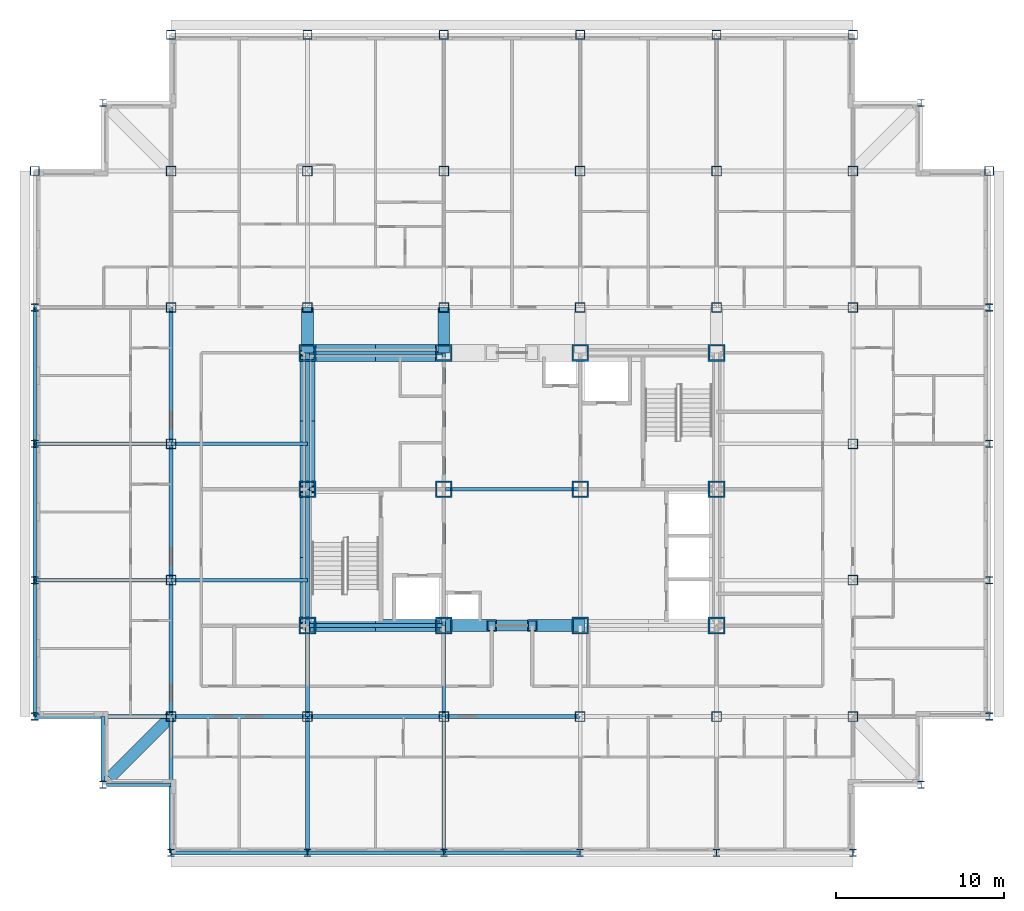
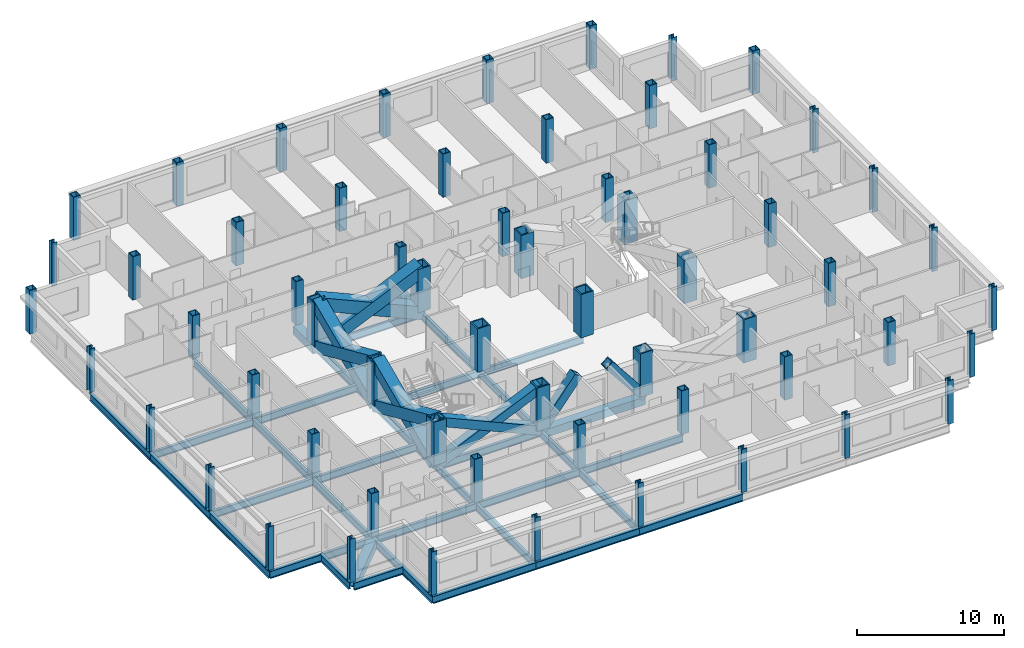
# One storey, part 1 of 12: 60 columns, 36 beams, 10 members.
"""IFC4 building model written with IfcOpenShell, lengths in metres."""

import ifcopenshell
import ifcopenshell.guid

model = None  # the IFC model being written
_history = None  # IfcOwnerHistory: only IFC2X3 demands one
_inside = {}  # id of a spatial element -> (the spatial element, [elements in it])
_under = {}  # id of a project, library or spatial element -> (it, [spatial elements below it])
_declared = {}  # id of a project -> (the project, [libraries it declares])
_typed = {}  # id of a type object -> (the type object, [elements of that type])
_made_of = {}  # id of a material, layer set ... -> (it, [elements and type objects made of it])


def new_model(schema):
    """Start an empty IFC model of exactly this schema.

    Asked for "IFC4X3", IfcOpenShell would pick the latest addendum, in which some entities
    have other attributes; the version numbers below select the first issue.
    IFC2X3 requires an IfcOwnerHistory on every rooted entity: one is made here for all.
    """
    global model, _history
    if schema == "IFC4X3":
        model = ifcopenshell.file(schema_version=(4, 3, 0, 0))
    else:
        model = ifcopenshell.file(schema=schema)
    _inside.clear()
    _under.clear()
    _declared.clear()
    _typed.clear()
    _made_of.clear()
    _history = None
    if model.schema == "IFC2X3":
        org = make("IfcOrganization", Name="unknown")
        user = make(
            "IfcPersonAndOrganization",
            ThePerson=make("IfcPerson", FamilyName="unknown"),
            TheOrganization=org,
        )
        app = make(
            "IfcApplication",
            ApplicationDeveloper=org,
            Version="unknown",
            ApplicationFullName="unknown",
            ApplicationIdentifier="unknown",
        )
        _history = make(
            "IfcOwnerHistory",
            OwningUser=user,
            OwningApplication=app,
            ChangeAction="ADDED",
            CreationDate=0,
        )
    return model


def make(cls, **values):
    """One entity of the class cls with the attributes given. An attribute that is None is left unset."""
    return model.create_entity(
        cls, **{name: value for name, value in values.items() if value is not None}
    )


def rooted(cls, **values):
    """An entity with a GlobalId (a new one), such as an element, a storey or a relation."""
    return make(cls, GlobalId=ifcopenshell.guid.new(), OwnerHistory=_history, **values)


def si_unit(unit_type, name, prefix=None):
    """IfcSIUnit, for example si_unit("LENGTHUNIT", "METRE", prefix="MILLI")."""
    return make("IfcSIUnit", UnitType=unit_type, Prefix=prefix, Name=name)


def assignment(units):
    """IfcUnitAssignment: the units of a project."""
    return None if units is None else make("IfcUnitAssignment", Units=units)


def point(xyz):
    """IfcCartesianPoint."""
    return None if xyz is None else make("IfcCartesianPoint", Coordinates=xyz)


def direction(xyz):
    """IfcDirection."""
    return None if xyz is None else make("IfcDirection", DirectionRatios=xyz)


def frame(location, z_axis=None, x_axis=None):
    """IfcAxis2Placement3D, a coordinate frame: its origin and axes. An axis left out is left unset."""
    return make(
        "IfcAxis2Placement3D",
        Location=point(location),
        Axis=direction(z_axis),
        RefDirection=direction(x_axis),
    )


def frame_2d(location, x_axis=None):
    """IfcAxis2Placement2D, a coordinate frame in the plane: its origin and x axis."""
    return make(
        "IfcAxis2Placement2D", Location=point(location), RefDirection=direction(x_axis)
    )


def origin():
    """The frame at (0, 0, 0) with its axes left unset."""
    return frame((0.0, 0.0, 0.0))


def origin_2d():
    """The frame at (0, 0) in the plane with its x axis left unset."""
    return frame_2d((0.0, 0.0))


def place(relative_to, where):
    """IfcLocalPlacement: puts the frame where relative to a parent placement (None: the world)."""
    return make(
        "IfcLocalPlacement", PlacementRelTo=relative_to, RelativePlacement=where
    )


def context(
    kind, dimensions, precision=None, world=None, true_north=None, identifier=None
):
    """IfcGeometricRepresentationContext, for example the 3D "Model" context."""
    return make(
        "IfcGeometricRepresentationContext",
        ContextIdentifier=identifier,
        ContextType=kind,
        CoordinateSpaceDimension=dimensions,
        Precision=precision,
        WorldCoordinateSystem=world,
        TrueNorth=true_north,
    )


def subcontext(parent, identifier, kind, view, scale=None):
    """IfcGeometricRepresentationSubContext, for example "Body" below "Model"."""
    return make(
        "IfcGeometricRepresentationSubContext",
        ContextIdentifier=identifier,
        ContextType=kind,
        ParentContext=parent,
        TargetScale=scale,
        TargetView=view,
    )


def project(units=None, contexts=None):
    """IfcProject with its units and contexts."""
    return rooted(
        "IfcProject",
        Name="project",
        RepresentationContexts=contexts,
        UnitsInContext=assignment(units),
    )


def spatial(cls, under=None, at=None, **own):
    """A site, building, storey or space (cls), placed at a placement, below another one or the project."""
    s = rooted(cls, ObjectPlacement=at, **own)
    if under is not None:
        _under.setdefault(under.id(), (under, []))[1].append(s)
    return s


def profile(cls, at=None, kind="AREA", **sizes):
    """A parametric profile (cls). Its sizes go by their IFC names, for example OverallWidth=200.0."""
    return make(cls, ProfileType=kind, Position=at, **sizes)


def hollow_rectangle(**sizes):
    """IfcRectangleHollowProfileDef."""
    return profile("IfcRectangleHollowProfileDef", **sizes)


def i_section(**sizes):
    """IfcIShapeProfileDef."""
    return profile("IfcIShapeProfileDef", **sizes)


def extrude(swept, where, along, depth):
    """IfcExtrudedAreaSolid: the profile swept, set in the frame where, extruded along a direction by depth."""
    return make(
        "IfcExtrudedAreaSolid",
        SweptArea=swept,
        Position=where,
        ExtrudedDirection=direction(along),
        Depth=depth,
    )


def shape(context_of_items, identifier, shape_type, items):
    """IfcShapeRepresentation: the items that make up one representation, for example the "Body"."""
    return make(
        "IfcShapeRepresentation",
        ContextOfItems=context_of_items,
        RepresentationIdentifier=identifier,
        RepresentationType=shape_type,
        Items=items,
    )


def material(Name=None, Category=None):
    """IfcMaterial."""
    return make("IfcMaterial", Name=Name, Category=Category)


def material_profile(
    of_material, cross_section, Name=None, Category=None, Priority=None
):
    """IfcMaterialProfile: a cross section and its material."""
    return make(
        "IfcMaterialProfile",
        Name=Name,
        Material=of_material,
        Profile=cross_section,
        Priority=Priority,
        Category=Category,
    )


def profile_set(profiles, Name=None, composite=None):
    """IfcMaterialProfileSet."""
    return make(
        "IfcMaterialProfileSet",
        Name=Name,
        MaterialProfiles=profiles,
        CompositeProfile=composite,
    )


def made_of(thing, what):
    """Note that an element or type object is made of a material, layer set ...; save() writes the relation."""
    if what is not None:
        _made_of.setdefault(what.id(), (what, []))[1].append(thing)
    return thing


def type_object(cls, material=None, **own):
    """A type object (cls), such as IfcWallType, which elements share."""
    return made_of(rooted(cls, **own), material)


def element(
    cls,
    number,
    at=None,
    inside=None,
    cuts=None,
    type_object=None,
    material=None,
    context=None,
    identifier="Body",
    shape_type=None,
    held_by="IfcProductDefinitionShape",
    body=None,
    shapes=None,
    **own,
):
    """One element of the class cls, such as IfcWall. Its Tag is "e" and its number.

    at: its placement. inside: the storey or other place that contains it. cuts: it is an
    opening in that element (IfcRelVoidsElement). A single representation is given by context,
    identifier, shape_type and body (its items); several are given by shapes. held_by: the class
    of the entity that holds the representations. save() writes the other relations.
    """
    e = rooted(cls, Tag="e%d" % number, ObjectPlacement=at, **own)
    if body is not None:
        shapes = [shape(context, identifier, shape_type, body)]
    if shapes is not None:
        e.Representation = make(held_by, Representations=shapes)
    if inside is not None:
        _inside.setdefault(inside.id(), (inside, []))[1].append(e)
    if cuts is not None:
        rooted(
            "IfcRelVoidsElement", RelatingBuildingElement=cuts, RelatedOpeningElement=e
        )
    if type_object is not None:
        _typed.setdefault(type_object.id(), (type_object, []))[1].append(e)
    return made_of(e, material)


def aggregate(whole, parts):
    """IfcRelAggregates: a whole, such as a stair, and the parts it consists of."""
    return rooted("IfcRelAggregates", RelatingObject=whole, RelatedObjects=parts)


def save(model, path):
    """Write the relations noted so far, then the file.

    IfcRelAggregates (storeys below a building ...), IfcRelContainedInSpatialStructure (elements
    in a storey), IfcRelDefinesByType, IfcRelAssociatesMaterial and IfcRelDeclares: one each for
    every whole, place, type object, material and project.
    """
    for whole, parts in _under.values():
        aggregate(whole, parts)
    for where, things in _inside.values():
        rooted(
            "IfcRelContainedInSpatialStructure",
            RelatedElements=things,
            RelatingStructure=where,
        )
    for kind, things in _typed.values():
        rooted("IfcRelDefinesByType", RelatedObjects=things, RelatingType=kind)
    for what, things in _made_of.values():
        rooted("IfcRelAssociatesMaterial", RelatedObjects=things, RelatingMaterial=what)
    for by, libraries in _declared.values():
        rooted("IfcRelDeclares", RelatingContext=by, RelatedDefinitions=libraries)
    model.write(path)


model = new_model("IFC4")

# Units and contexts
model_context = context("Model", 3, precision=1e-05, world=origin(), true_north=direction((0.0, 1.0)))
body_context = subcontext(model_context, "Body", "Model", "MODEL_VIEW")
ifc_project = project(units=[si_unit("LENGTHUNIT", "METRE"), si_unit("AREAUNIT", "SQUARE_METRE"), si_unit("VOLUMEUNIT", "CUBIC_METRE"), si_unit("PLANEANGLEUNIT", "RADIAN"), si_unit("MASSUNIT", "GRAM", prefix="KILO")], contexts=[model_context])

# Site, building, storey
site_placement = place(None, origin())
site = spatial("IfcSite", under=ifc_project, at=site_placement, CompositionType="ELEMENT")
building_placement = place(site_placement, origin())
building = spatial("IfcBuilding", under=site, at=building_placement, Name="Kopane Lantern Tower", CompositionType="ELEMENT")
storey_placement = place(building_placement, frame((0.0, 0.0, 199.199951171875)))
storey = spatial("IfcBuildingStorey", under=building, at=storey_placement, Name="L51", CompositionType="ELEMENT", Elevation=199.199951171875)

# Columns
ifc_material_1 = material(Name="Steel S355JR", Category="steel")
ifc_material_profile_1 = material_profile(ifc_material_1, hollow_rectangle(XDim=1.0, YDim=1.0, WallThickness=0.10009765625, at=origin_2d()), Name="BOX 1000x1000x100")
ifc_profile_set_1 = profile_set([ifc_material_profile_1], Name="Steel S355JR")
column_type_1 = type_object("IfcColumnType", Name="COLUMN BOX 1000x1000x100", PredefinedType="COLUMN", material=ifc_profile_set_1)
for number, where, z_axis, x_axis, name in (
    (1, (16.199951171875, 24.300048828125, 0.0), (0.0, 0.0, 1.0), (1.0, 0.0, 0.0), "Column 4/E L51"),
    (2, (16.199951171875, 32.39990234375, 0.0), (0.0, 0.0, 1.0), (1.0, 0.0, 0.0), "Column 4/F L51"),
    (3, (16.199951171875, 40.5, 0.0), (0.0, 0.0, 1.0), (1.0, 0.0, 0.0), "Column 4/G L51"),
    (4, (24.300048828125, 24.300048828125, 0.0), (0.0, 0.0, 1.0), (1.0, 0.0, 0.0), "Column 5/E L51"),
    (5, (24.300048828125, 32.39990234375, 0.0), (0.0, 0.0, 1.0), (1.0, 0.0, 0.0), "Column 5/F L51"),
    (6, (24.300048828125, 40.5, 0.0), (0.0, 0.0, 1.0), (1.0, 0.0, 0.0), "Column 5/G L51"),
    (7, (32.39990234375, 24.300048828125, 0.0), (0.0, 0.0, 1.0), (1.0, 0.0, 0.0), "Column 6/E L51"),
    (8, (32.39990234375, 32.39990234375, 0.0), (0.0, 0.0, 1.0), (1.0, 0.0, 0.0), "Column 6/F L51"),
    (9, (32.39990234375, 40.5, 0.0), (0.0, 0.0, 1.0), (1.0, 0.0, 0.0), "Column 6/G L51"),
    (10, (40.5, 24.300048828125, 0.0), (0.0, 0.0, 1.0), (1.0, 0.0, 0.0), "Column 7/E L51"),
    (11, (40.5, 32.39990234375, 0.0), (0.0, 0.0, 1.0), (1.0, 0.0, 0.0), "Column 7/F L51"),
    (12, (40.5, 40.5, 0.0), (0.0, 0.0, 1.0), (1.0, 0.0, 0.0), "Column 7/G L51"),
):
    element("IfcColumn", number, at=place(storey_placement, frame(where, z_axis=z_axis, x_axis=x_axis)), inside=storey, type_object=column_type_1, Name=name, PredefinedType="COLUMN", context=body_context, shape_type="SweptSolid", body=[
        extrude(hollow_rectangle(XDim=1.0, YDim=1.0, WallThickness=0.10009765625, at=origin_2d()), origin(), (0.0, 0.0, 1.0), 3.60009765625),
    ])
ifc_material_2 = material(Name="Steel S355JR", Category="steel")
ifc_material_profile_2 = material_profile(ifc_material_2, hollow_rectangle(XDim=0.550048828125, YDim=0.550048828125, WallThickness=0.044921875, at=origin_2d()), Name="BOX 550x550x45")
ifc_profile_set_2 = profile_set([ifc_material_profile_2], Name="Steel S355JR")
column_type_2 = type_object("IfcColumnType", Name="COLUMN BOX 550x550x45", PredefinedType="COLUMN", material=ifc_profile_set_2)
for number, where, z_axis, x_axis, name in (
    (13, (0.0, 51.300048828125, 0.0), (0.0, 0.0, 1.0), (1.0, 0.0, 0.0), "Column 2/Q6 L51"),
    (14, (8.10009765625, 59.39990234375, 0.0), (0.0, 0.0, 1.0), (1.0, 0.0, 0.0), "Column 3/Q7 L51"),
    (15, (16.199951171875, 59.39990234375, 0.0), (0.0, 0.0, 1.0), (1.0, 0.0, 0.0), "Column 4/Q7 L51"),
    (16, (24.300048828125, 59.39990234375, 0.0), (0.0, 0.0, 1.0), (1.0, 0.0, 0.0), "Column 5/Q7 L51"),
    (17, (32.39990234375, 59.39990234375, 0.0), (0.0, 0.0, 1.0), (1.0, 0.0, 0.0), "Column 6/Q7 L51"),
    (18, (40.5, 59.39990234375, 0.0), (0.0, 0.0, 1.0), (1.0, 0.0, 0.0), "Column 7/Q7 L51"),
    (19, (48.60009765625, 59.39990234375, 0.0), (0.0, 0.0, 1.0), (1.0, 0.0, 0.0), "Column 8/Q7 L51"),
    (20, (56.699951171875, 51.300048828125, 0.0), (0.0, 0.0, 1.0), (1.0, 0.0, 0.0), "Column 9/Q6 L51"),
):
    element("IfcColumn", number, at=place(storey_placement, frame(where, z_axis=z_axis, x_axis=x_axis)), inside=storey, type_object=column_type_2, Name=name, PredefinedType="COLUMN", context=body_context, shape_type="SweptSolid", body=[
        extrude(hollow_rectangle(XDim=0.550048828125, YDim=0.550048828125, WallThickness=0.044921875, at=origin_2d()), origin(), (0.0, 0.0, 1.0), 3.60009765625),
    ])
ifc_material_3 = material(Name="Steel S355JR", Category="steel")
ifc_material_profile_3 = material_profile(ifc_material_3, hollow_rectangle(XDim=0.60009765625, YDim=0.60009765625, WallThickness=0.050048828125, at=origin_2d()), Name="BOX 600x600x50")
ifc_profile_set_3 = profile_set([ifc_material_profile_3], Name="Steel S355JR")
column_type_3 = type_object("IfcColumnType", Name="COLUMN BOX 600x600x50", PredefinedType="COLUMN", material=ifc_profile_set_3)
for number, where, z_axis, x_axis, name in (
    (21, (8.10009765625, 18.89990234375, 0.0), (0.0, 0.0, 1.0), (1.0, 0.0, 0.0), "Column 3/Q2 L51"),
    (22, (8.10009765625, 27.0, 0.0), (0.0, 0.0, 1.0), (1.0, 0.0, 0.0), "Column 3/Q3 L51"),
    (23, (8.10009765625, 35.10009765625, 0.0), (0.0, 0.0, 1.0), (1.0, 0.0, 0.0), "Column 3/Q4 L51"),
    (24, (8.10009765625, 43.199951171875, 0.0), (0.0, 0.0, 1.0), (1.0, 0.0, 0.0), "Column 3/Q5 L51"),
    (25, (8.10009765625, 51.300048828125, 0.0), (0.0, 0.0, 1.0), (1.0, 0.0, 0.0), "Column 3/Q6 L51"),
    (26, (16.199951171875, 18.89990234375, 0.0), (0.0, 0.0, 1.0), (1.0, 0.0, 0.0), "Column 4/Q2 L51"),
    (27, (16.199951171875, 43.199951171875, 0.0), (0.0, 0.0, 1.0), (1.0, 0.0, 0.0), "Column 4/Q5 L51"),
    (28, (16.199951171875, 51.300048828125, 0.0), (0.0, 0.0, 1.0), (1.0, 0.0, 0.0), "Column 4/Q6 L51"),
    (29, (24.300048828125, 18.89990234375, 0.0), (0.0, 0.0, 1.0), (1.0, 0.0, 0.0), "Column 5/Q2 L51"),
    (30, (24.300048828125, 43.199951171875, 0.0), (0.0, 0.0, 1.0), (1.0, 0.0, 0.0), "Column 5/Q5 L51"),
    (31, (24.300048828125, 51.300048828125, 0.0), (0.0, 0.0, 1.0), (1.0, 0.0, 0.0), "Column 5/Q6 L51"),
    (32, (32.39990234375, 18.89990234375, 0.0), (0.0, 0.0, 1.0), (1.0, 0.0, 0.0), "Column 6/Q2 L51"),
    (33, (32.39990234375, 43.199951171875, 0.0), (0.0, 0.0, 1.0), (1.0, 0.0, 0.0), "Column 6/Q5 L51"),
    (34, (32.39990234375, 51.300048828125, 0.0), (0.0, 0.0, 1.0), (1.0, 0.0, 0.0), "Column 6/Q6 L51"),
    (35, (40.5, 18.89990234375, 0.0), (0.0, 0.0, 1.0), (1.0, 0.0, 0.0), "Column 7/Q2 L51"),
    (36, (40.5, 43.199951171875, 0.0), (0.0, 0.0, 1.0), (1.0, 0.0, 0.0), "Column 7/Q5 L51"),
    (37, (40.5, 51.300048828125, 0.0), (0.0, 0.0, 1.0), (1.0, 0.0, 0.0), "Column 7/Q6 L51"),
    (38, (48.60009765625, 18.89990234375, 0.0), (0.0, 0.0, 1.0), (1.0, 0.0, 0.0), "Column 8/Q2 L51"),
    (39, (48.60009765625, 27.0, 0.0), (0.0, 0.0, 1.0), (1.0, 0.0, 0.0), "Column 8/Q3 L51"),
    (40, (48.60009765625, 35.10009765625, 0.0), (0.0, 0.0, 1.0), (1.0, 0.0, 0.0), "Column 8/Q4 L51"),
    (41, (48.60009765625, 43.199951171875, 0.0), (0.0, 0.0, 1.0), (1.0, 0.0, 0.0), "Column 8/Q5 L51"),
    (42, (48.60009765625, 51.300048828125, 0.0), (0.0, 0.0, 1.0), (1.0, 0.0, 0.0), "Column 8/Q6 L51"),
):
    element("IfcColumn", number, at=place(storey_placement, frame(where, z_axis=z_axis, x_axis=x_axis)), inside=storey, type_object=column_type_3, Name=name, PredefinedType="COLUMN", context=body_context, shape_type="SweptSolid", body=[
        extrude(hollow_rectangle(XDim=0.60009765625, YDim=0.60009765625, WallThickness=0.050048828125, at=origin_2d()), origin(), (0.0, 0.0, 1.0), 3.60009765625),
    ])
ifc_material_4 = material(Name="Steel S355JR", Category="steel")
ifc_material_profile_4 = material_profile(ifc_material_4, i_section(OverallWidth=0.406982421875, OverallDepth=0.4189453125, WebThickness=0.030517578125, FlangeThickness=0.04931640625, FilletRadius=0.01513671875, at=origin_2d()), Name="UC 356x406x393")
ifc_profile_set_4 = profile_set([ifc_material_profile_4], Name="Steel S355JR")
column_type_4 = type_object("IfcColumnType", Name="COLUMN UC 356x406x393", PredefinedType="COLUMN", material=ifc_profile_set_4)
for number, where, z_axis, x_axis, name in (
    (43, (4.050048828125, 14.85009765625, 0.0), (0.0, 0.0, 1.0), (1.0, 0.0, 0.0), "Column 4.05/14.85 L51"),
    (44, (4.050048828125, 55.35009765625, 0.0), (0.0, 0.0, 1.0), (1.0, 0.0, 0.0), "Column 4.05/55.35 L51"),
    (45, (52.64990234375, 14.85009765625, 0.0), (0.0, 0.0, 1.0), (1.0, 0.0, 0.0), "Column 52.65/14.85 L51"),
    (46, (52.64990234375, 55.35009765625, 0.0), (0.0, 0.0, 1.0), (1.0, 0.0, 0.0), "Column 52.65/55.35 L51"),
):
    element("IfcColumn", number, at=place(storey_placement, frame(where, z_axis=z_axis, x_axis=x_axis)), inside=storey, type_object=column_type_4, Name=name, PredefinedType="COLUMN", context=body_context, shape_type="SweptSolid", body=[
        extrude(i_section(OverallWidth=0.406982421875, OverallDepth=0.4189453125, WebThickness=0.030517578125, FlangeThickness=0.04931640625, FilletRadius=0.01513671875, at=origin_2d()), origin(), (0.0, 0.0, 1.0), 3.60009765625),
    ])
ifc_material_5 = material(Name="Steel S355JR", Category="steel")
ifc_material_profile_5 = material_profile(ifc_material_5, i_section(OverallWidth=0.41845703125, OverallDepth=0.45556640625, WebThickness=0.0419921875, FlangeThickness=0.0673828125, FilletRadius=0.01513671875, at=origin_2d()), Name="UC 356x406x551")
ifc_profile_set_5 = profile_set([ifc_material_profile_5], Name="Steel S355JR")
column_type_5 = type_object("IfcColumnType", Name="COLUMN UC 356x406x551", PredefinedType="COLUMN", material=ifc_profile_set_5)
for number, where, z_axis, x_axis, name in (
    (47, (0.0, 18.89990234375, 0.0), (0.0, 0.0, 1.0), (1.0, 0.0, 0.0), "Column 2/Q2 L51"),
    (48, (0.0, 27.0, 0.0), (0.0, 0.0, 1.0), (1.0, 0.0, 0.0), "Column 2/Q3 L51"),
    (49, (0.0, 35.10009765625, 0.0), (0.0, 0.0, 1.0), (1.0, 0.0, 0.0), "Column 2/Q4 L51"),
    (50, (0.0, 43.199951171875, 0.0), (0.0, 0.0, 1.0), (1.0, 0.0, 0.0), "Column 2/Q5 L51"),
    (51, (8.10009765625, 10.800048828125, 0.0), (0.0, 0.0, 1.0), (1.0, 0.0, 0.0), "Column 3/Q1 L51"),
    (52, (16.199951171875, 10.800048828125, 0.0), (0.0, 0.0, 1.0), (1.0, 0.0, 0.0), "Column 4/Q1 L51"),
    (53, (24.300048828125, 10.800048828125, 0.0), (0.0, 0.0, 1.0), (1.0, 0.0, 0.0), "Column 5/Q1 L51"),
    (54, (32.39990234375, 10.800048828125, 0.0), (0.0, 0.0, 1.0), (1.0, 0.0, 0.0), "Column 6/Q1 L51"),
    (55, (40.5, 10.800048828125, 0.0), (0.0, 0.0, 1.0), (1.0, 0.0, 0.0), "Column 7/Q1 L51"),
    (56, (48.60009765625, 10.800048828125, 0.0), (0.0, 0.0, 1.0), (1.0, 0.0, 0.0), "Column 8/Q1 L51"),
    (57, (56.699951171875, 18.89990234375, 0.0), (0.0, 0.0, 1.0), (1.0, 0.0, 0.0), "Column 9/Q2 L51"),
    (58, (56.699951171875, 27.0, 0.0), (0.0, 0.0, 1.0), (1.0, 0.0, 0.0), "Column 9/Q3 L51"),
    (59, (56.699951171875, 35.10009765625, 0.0), (0.0, 0.0, 1.0), (1.0, 0.0, 0.0), "Column 9/Q4 L51"),
    (60, (56.699951171875, 43.199951171875, 0.0), (0.0, 0.0, 1.0), (1.0, 0.0, 0.0), "Column 9/Q5 L51"),
):
    element("IfcColumn", number, at=place(storey_placement, frame(where, z_axis=z_axis, x_axis=x_axis)), inside=storey, type_object=column_type_5, Name=name, PredefinedType="COLUMN", context=body_context, shape_type="SweptSolid", body=[
        extrude(i_section(OverallWidth=0.41845703125, OverallDepth=0.45556640625, WebThickness=0.0419921875, FlangeThickness=0.0673828125, FilletRadius=0.01513671875, at=origin_2d()), origin(), (0.0, 0.0, 1.0), 3.60009765625),
    ])

# Members
ifc_material_6 = material(Name="Steel S355JR", Category="steel")
ifc_material_profile_6 = material_profile(ifc_material_6, hollow_rectangle(XDim=1.0, YDim=1.0, WallThickness=0.10009765625, at=origin_2d()), Name="BOX 1000x1000x100")
ifc_profile_set_6 = profile_set([ifc_material_profile_6], Name="Steel S355JR")
member_type_1 = type_object("IfcMemberType", Name="BRACE BOX 1000x1000x100", PredefinedType="BRACE", material=ifc_profile_set_6)
for number, where, z_axis, x_axis, name in (
    (61, (16.199951171875, 40.5, -0.2099609375), (0.913809277049, 0.0, 0.40614357705), (0.0, 1.0, 0.0), "Core brace L51"),
    (62, (24.300048828125, 40.5, -0.2099609375), (-0.913809277049, 0.0, 0.40614357705), (0.0, -1.0, 0.0), "Core brace L51"),
):
    element("IfcMember", number, at=place(storey_placement, frame(where, z_axis=z_axis, x_axis=x_axis)), inside=storey, type_object=member_type_1, Name=name, PredefinedType="BRACE", context=body_context, shape_type="SweptSolid", body=[
        extrude(hollow_rectangle(XDim=1.0, YDim=1.0, WallThickness=0.10009765625, at=origin_2d()), origin(), (0.0, 0.0, 1.0), 8.864013671875),
    ])
ifc_material_7 = material(Name="Steel S355JR", Category="steel")
ifc_material_profile_7 = material_profile(ifc_material_7, hollow_rectangle(XDim=0.699951171875, YDim=0.699951171875, WallThickness=0.06005859375, at=origin_2d()), Name="BOX 700x700x60")
ifc_profile_set_7 = profile_set([ifc_material_profile_7], Name="Steel S355JR")
member_type_2 = type_object("IfcMemberType", Name="BRACE BOX 700x700x60", PredefinedType="BRACE", material=ifc_profile_set_7)
for number, where, z_axis, x_axis, name in (
    (63, (16.199951171875, 24.300048828125, -0.2099609375), (0.913809277049, 0.0, 0.40614357705), (0.0, 1.0, 0.0), "Core brace L51"),
    (64, (24.300048828125, 24.300048828125, -0.2099609375), (-0.913809277049, 0.0, 0.40614357705), (0.0, -1.0, 0.0), "Core brace L51"),
):
    element("IfcMember", number, at=place(storey_placement, frame(where, z_axis=z_axis, x_axis=x_axis)), inside=storey, type_object=member_type_2, Name=name, PredefinedType="BRACE", context=body_context, shape_type="SweptSolid", body=[
        extrude(hollow_rectangle(XDim=0.699951171875, YDim=0.699951171875, WallThickness=0.06005859375, at=origin_2d()), origin(), (0.0, 0.0, 1.0), 8.864013671875),
    ])
for number, where, z_axis, x_axis, name in (
    (65, (24.300048828125, 24.300048828125, -0.2099609375), (0.620672981644, 0.0, 0.784069544018), (0.0, 1.0, 0.0), "Core brace L51"),
    (66, (32.39990234375, 24.300048828125, -0.2099609375), (-0.620672981644, 0.0, 0.784069544018), (0.0, -1.0, 0.0), "Core brace L51"),
):
    element("IfcMember", number, at=place(storey_placement, frame(where, z_axis=z_axis, x_axis=x_axis)), inside=storey, type_object=member_type_2, Name=name, PredefinedType="BRACE", context=body_context, shape_type="SweptSolid", body=[
        extrude(hollow_rectangle(XDim=0.699951171875, YDim=0.699951171875, WallThickness=0.06005859375, at=origin_2d()), origin(), (0.0, 0.0, 1.0), 4.591552734375),
    ])
ifc_material_8 = material(Name="Steel S355JR", Category="steel")
ifc_material_profile_8 = material_profile(ifc_material_8, hollow_rectangle(XDim=0.89990234375, YDim=0.89990234375, WallThickness=0.090087890625, at=origin_2d()), Name="BOX 900x900x90")
ifc_profile_set_8 = profile_set([ifc_material_profile_8], Name="Steel S355JR")
member_type_3 = type_object("IfcMemberType", Name="BRACE BOX 900x900x90", PredefinedType="BRACE", material=ifc_profile_set_8)
for number, where, z_axis, x_axis, name in (
    (67, (16.199951171875, 24.300048828125, -0.2099609375), (0.0, 0.91380473365, 0.406153799391), (-1.0, 0.0, 0.0), "Core brace L51"),
    (68, (16.199951171875, 32.39990234375, -0.2099609375), (0.0, -0.91380473365, 0.406153799391), (1.0, 0.0, 0.0), "Core brace L51"),
):
    element("IfcMember", number, at=place(storey_placement, frame(where, z_axis=z_axis, x_axis=x_axis)), inside=storey, type_object=member_type_3, Name=name, PredefinedType="BRACE", context=body_context, shape_type="SweptSolid", body=[
        extrude(hollow_rectangle(XDim=0.89990234375, YDim=0.89990234375, WallThickness=0.090087890625, at=origin_2d()), origin(), (0.0, 0.0, 1.0), 8.86376953125),
    ])
for number, where, z_axis, x_axis, name in (
    (69, (16.199951171875, 32.39990234375, -0.2099609375), (0.0, 0.913809277049, 0.40614357705), (-1.0, 0.0, 0.0), "Core brace L51"),
    (70, (16.199951171875, 40.5, -0.2099609375), (0.0, -0.913809277049, 0.40614357705), (1.0, 0.0, 0.0), "Core brace L51"),
):
    element("IfcMember", number, at=place(storey_placement, frame(where, z_axis=z_axis, x_axis=x_axis)), inside=storey, type_object=member_type_3, Name=name, PredefinedType="BRACE", context=body_context, shape_type="SweptSolid", body=[
        extrude(hollow_rectangle(XDim=0.89990234375, YDim=0.89990234375, WallThickness=0.090087890625, at=origin_2d()), origin(), (0.0, 0.0, 1.0), 8.864013671875),
    ])

# Beams
ifc_material_9 = material(Name="Steel S355JR", Category="steel")
ifc_material_profile_9 = material_profile(ifc_material_9, i_section(OverallWidth=0.22900390625, OverallDepth=0.6123046875, WebThickness=0.011962890625, FlangeThickness=0.01953125, FilletRadius=0.0126953125, at=origin_2d()), Name="UB 610x229x125")
ifc_profile_set_9 = profile_set([ifc_material_profile_9], Name="Steel S355JR")
beam_type_1 = type_object("IfcBeamType", Name="CORE BEAM UB 610x229x125", PredefinedType="BEAM", material=ifc_profile_set_9)
beam_1_placement = place(storey_placement, frame((16.199951171875, 32.39990234375, -0.51611328125), z_axis=(1.0, 0.0, 0.0), x_axis=(0.0, 1.0, 0.0)))
element("IfcBeam", 71, at=beam_1_placement, inside=storey, type_object=beam_type_1, Name="Core Beam L51", PredefinedType="BEAM", context=body_context, shape_type="SweptSolid", body=[
    extrude(i_section(OverallWidth=0.22900390625, OverallDepth=0.6123046875, WebThickness=0.011962890625, FlangeThickness=0.01953125, FilletRadius=0.0126953125, at=origin_2d()), origin(), (0.0, 0.0, 1.0), 8.10009765625),
])
beam_2_placement = place(storey_placement, frame((24.300048828125, 24.300048828125, -0.51611328125), z_axis=(0.0, 1.0, 0.0), x_axis=(-1.0, 0.0, 0.0)))
element("IfcBeam", 72, at=beam_2_placement, inside=storey, type_object=beam_type_1, Name="Core Beam L51", PredefinedType="BEAM", context=body_context, shape_type="SweptSolid", body=[
    extrude(i_section(OverallWidth=0.22900390625, OverallDepth=0.6123046875, WebThickness=0.011962890625, FlangeThickness=0.01953125, FilletRadius=0.0126953125, at=origin_2d()), origin(), (0.0, 0.0, 1.0), 8.099853515625),
])
beam_3_placement = place(storey_placement, frame((24.300048828125, 32.39990234375, -0.51611328125), z_axis=(0.0, 1.0, 0.0), x_axis=(-1.0, 0.0, 0.0)))
element("IfcBeam", 73, at=beam_3_placement, inside=storey, type_object=beam_type_1, Name="Core Beam L51", PredefinedType="BEAM", context=body_context, shape_type="SweptSolid", body=[
    extrude(i_section(OverallWidth=0.22900390625, OverallDepth=0.6123046875, WebThickness=0.011962890625, FlangeThickness=0.01953125, FilletRadius=0.0126953125, at=origin_2d()), origin(), (0.0, 0.0, 1.0), 8.10009765625),
])
beam_4_placement = place(storey_placement, frame((24.300048828125, 32.39990234375, -0.51611328125), z_axis=(1.0, 0.0, 0.0), x_axis=(0.0, 1.0, 0.0)))
element("IfcBeam", 74, at=beam_4_placement, inside=storey, type_object=beam_type_1, Name="Core Beam L51", PredefinedType="BEAM", context=body_context, shape_type="SweptSolid", body=[
    extrude(i_section(OverallWidth=0.22900390625, OverallDepth=0.6123046875, WebThickness=0.011962890625, FlangeThickness=0.01953125, FilletRadius=0.0126953125, at=origin_2d()), origin(), (0.0, 0.0, 1.0), 8.099853515625),
])
ifc_material_10 = material(Name="Steel S355JR", Category="steel")
ifc_material_profile_10 = material_profile(ifc_material_10, hollow_rectangle(XDim=0.699951171875, YDim=0.699951171875, WallThickness=0.06005859375, at=origin_2d()), Name="BOX 700x700x60")
ifc_profile_set_10 = profile_set([ifc_material_profile_10], Name="Steel S355JR")
beam_type_2 = type_object("IfcBeamType", Name="CORNER TIE BEAM BOX 700x700x60", PredefinedType="BEAM", material=ifc_profile_set_10)
beam_5_placement = place(storey_placement, frame((4.447509765625, 15.24755859375, -0.56005859375), z_axis=(0.70713041325, 0.707083148333, 0.0), x_axis=(-0.707083148333, 0.70713041325, 0.0)))
element("IfcBeam", 75, at=beam_5_placement, inside=storey, type_object=beam_type_2, Name="Corner Tie Beam L51", PredefinedType="BEAM", context=body_context, shape_type="SweptSolid", body=[
    extrude(hollow_rectangle(XDim=0.699951171875, YDim=0.699951171875, WallThickness=0.06005859375, at=origin_2d()), origin(), (0.0, 0.0, 1.0), 5.165283203125),
])
ifc_material_11 = material(Name="Steel S355JR", Category="steel")
ifc_material_profile_11 = material_profile(ifc_material_11, i_section(OverallWidth=0.22900390625, OverallDepth=0.6123046875, WebThickness=0.011962890625, FlangeThickness=0.01953125, FilletRadius=0.0126953125, at=origin_2d()), Name="UB 610x229x125")
ifc_profile_set_11 = profile_set([ifc_material_profile_11], Name="Steel S355JR")
beam_type_3 = type_object("IfcBeamType", Name="EDGE BEAM UB 610x229x125", PredefinedType="BEAM", material=ifc_profile_set_11)
beam_6_placement = place(storey_placement, frame((4.050048828125, 15.053466796875, -0.51611328125), z_axis=(0.0, 1.0, 0.0), x_axis=(-1.0, 0.0, 0.0)))
element("IfcBeam", 76, at=beam_6_placement, inside=storey, type_object=beam_type_3, Name="Edge Beam L51", PredefinedType="BEAM", context=body_context, shape_type="SweptSolid", body=[
    extrude(i_section(OverallWidth=0.22900390625, OverallDepth=0.6123046875, WebThickness=0.011962890625, FlangeThickness=0.01953125, FilletRadius=0.0126953125, at=origin_2d()), origin(), (0.0, 0.0, 1.0), 3.846435546875),
])
beam_7_placement = place(storey_placement, frame((4.25341796875, 14.85009765625, -0.51611328125), z_axis=(1.0, 0.0, 0.0), x_axis=(0.0, 1.0, 0.0)))
element("IfcBeam", 77, at=beam_7_placement, inside=storey, type_object=beam_type_3, Name="Edge Beam L51", PredefinedType="BEAM", context=body_context, shape_type="SweptSolid", body=[
    extrude(i_section(OverallWidth=0.22900390625, OverallDepth=0.6123046875, WebThickness=0.011962890625, FlangeThickness=0.01953125, FilletRadius=0.0126953125, at=origin_2d()), origin(), (0.0, 0.0, 1.0), 3.8466796875),
])
ifc_material_12 = material(Name="Steel S355JR", Category="steel")
ifc_material_profile_12 = material_profile(ifc_material_12, hollow_rectangle(XDim=0.699951171875, YDim=0.699951171875, WallThickness=0.06005859375, at=origin_2d()), Name="BOX 700x700x60")
ifc_profile_set_12 = profile_set([ifc_material_profile_12], Name="Steel S355JR")
beam_type_4 = type_object("IfcBeamType", Name="GIRDER BOX 700x700x60", PredefinedType="BEAM", material=ifc_profile_set_12)
for number, where, z_axis, x_axis, name in (
    (78, (16.199951171875, 40.5, -0.56005859375), (0.0, 1.0, 0.0), (-1.0, 0.0, 0.0), "Girder L51"),
    (79, (24.300048828125, 40.5, -0.56005859375), (0.0, 1.0, 0.0), (-1.0, 0.0, 0.0), "Girder L51"),
):
    element("IfcBeam", number, at=place(storey_placement, frame(where, z_axis=z_axis, x_axis=x_axis)), inside=storey, type_object=beam_type_4, Name=name, PredefinedType="BEAM", context=body_context, shape_type="SweptSolid", body=[
        extrude(hollow_rectangle(XDim=0.699951171875, YDim=0.699951171875, WallThickness=0.06005859375, at=origin_2d()), origin(), (0.0, 0.0, 1.0), 2.699951171875),
    ])
ifc_material_13 = material(Name="Steel S355JR", Category="steel")
ifc_material_profile_13 = material_profile(ifc_material_13, i_section(OverallWidth=0.22900390625, OverallDepth=0.6123046875, WebThickness=0.011962890625, FlangeThickness=0.01953125, FilletRadius=0.0126953125, at=origin_2d()), Name="UB 610x229x125")
ifc_profile_set_13 = profile_set([ifc_material_profile_13], Name="Steel S355JR")
beam_type_5 = type_object("IfcBeamType", Name="GIRDER UB 610x229x125", PredefinedType="BEAM", material=ifc_profile_set_13)
for number, where, z_axis, x_axis, name in (
    (80, (0.0, 18.89990234375, -0.51611328125), (0.0, 1.0, 0.0), (-1.0, 0.0, 0.0), "Girder L51"),
    (81, (0.0, 18.89990234375, -0.51611328125), (1.0, 0.0, 0.0), (0.0, 1.0, 0.0), "Girder L51"),
    (82, (0.0, 27.0, -0.51611328125), (0.0, 1.0, 0.0), (-1.0, 0.0, 0.0), "Girder L51"),
    (83, (0.0, 27.0, -0.51611328125), (1.0, 0.0, 0.0), (0.0, 1.0, 0.0), "Girder L51"),
):
    element("IfcBeam", number, at=place(storey_placement, frame(where, z_axis=z_axis, x_axis=x_axis)), inside=storey, type_object=beam_type_5, Name=name, PredefinedType="BEAM", context=body_context, shape_type="SweptSolid", body=[
        extrude(i_section(OverallWidth=0.22900390625, OverallDepth=0.6123046875, WebThickness=0.011962890625, FlangeThickness=0.01953125, FilletRadius=0.0126953125, at=origin_2d()), origin(), (0.0, 0.0, 1.0), 8.10009765625),
    ])
beam_8_placement = place(storey_placement, frame((0.0, 35.10009765625, -0.51611328125), z_axis=(0.0, 1.0, 0.0), x_axis=(-1.0, 0.0, 0.0)))
element("IfcBeam", 84, at=beam_8_placement, inside=storey, type_object=beam_type_5, Name="Girder L51", PredefinedType="BEAM", context=body_context, shape_type="SweptSolid", body=[
    extrude(i_section(OverallWidth=0.22900390625, OverallDepth=0.6123046875, WebThickness=0.011962890625, FlangeThickness=0.01953125, FilletRadius=0.0126953125, at=origin_2d()), origin(), (0.0, 0.0, 1.0), 8.099853515625),
])
beam_9_placement = place(storey_placement, frame((0.0, 35.10009765625, -0.51611328125), z_axis=(1.0, 0.0, 0.0), x_axis=(0.0, 1.0, 0.0)))
element("IfcBeam", 85, at=beam_9_placement, inside=storey, type_object=beam_type_5, Name="Girder L51", PredefinedType="BEAM", context=body_context, shape_type="SweptSolid", body=[
    extrude(i_section(OverallWidth=0.22900390625, OverallDepth=0.6123046875, WebThickness=0.011962890625, FlangeThickness=0.01953125, FilletRadius=0.0126953125, at=origin_2d()), origin(), (0.0, 0.0, 1.0), 8.10009765625),
])
for number, where, z_axis, x_axis, name in (
    (86, (8.10009765625, 10.800048828125, -0.51611328125), (0.0, 1.0, 0.0), (-1.0, 0.0, 0.0), "Girder L51"),
    (87, (8.10009765625, 10.800048828125, -0.51611328125), (1.0, 0.0, 0.0), (0.0, 1.0, 0.0), "Girder L51"),
):
    element("IfcBeam", number, at=place(storey_placement, frame(where, z_axis=z_axis, x_axis=x_axis)), inside=storey, type_object=beam_type_5, Name=name, PredefinedType="BEAM", context=body_context, shape_type="SweptSolid", body=[
        extrude(i_section(OverallWidth=0.22900390625, OverallDepth=0.6123046875, WebThickness=0.011962890625, FlangeThickness=0.01953125, FilletRadius=0.0126953125, at=origin_2d()), origin(), (0.0, 0.0, 1.0), 8.099853515625),
    ])
beam_10_placement = place(storey_placement, frame((8.10009765625, 18.89990234375, -0.51611328125), z_axis=(0.0, 1.0, 0.0), x_axis=(-1.0, 0.0, 0.0)))
element("IfcBeam", 88, at=beam_10_placement, inside=storey, type_object=beam_type_5, Name="Girder L51", PredefinedType="BEAM", context=body_context, shape_type="SweptSolid", body=[
    extrude(i_section(OverallWidth=0.22900390625, OverallDepth=0.6123046875, WebThickness=0.011962890625, FlangeThickness=0.01953125, FilletRadius=0.0126953125, at=origin_2d()), origin(), (0.0, 0.0, 1.0), 8.10009765625),
])
beam_11_placement = place(storey_placement, frame((8.10009765625, 18.89990234375, -0.51611328125), z_axis=(1.0, 0.0, 0.0), x_axis=(0.0, 1.0, 0.0)))
element("IfcBeam", 89, at=beam_11_placement, inside=storey, type_object=beam_type_5, Name="Girder L51", PredefinedType="BEAM", context=body_context, shape_type="SweptSolid", body=[
    extrude(i_section(OverallWidth=0.22900390625, OverallDepth=0.6123046875, WebThickness=0.011962890625, FlangeThickness=0.01953125, FilletRadius=0.0126953125, at=origin_2d()), origin(), (0.0, 0.0, 1.0), 8.099853515625),
])
beam_12_placement = place(storey_placement, frame((8.10009765625, 27.0, -0.51611328125), z_axis=(0.0, 1.0, 0.0), x_axis=(-1.0, 0.0, 0.0)))
element("IfcBeam", 90, at=beam_12_placement, inside=storey, type_object=beam_type_5, Name="Girder L51", PredefinedType="BEAM", context=body_context, shape_type="SweptSolid", body=[
    extrude(i_section(OverallWidth=0.22900390625, OverallDepth=0.6123046875, WebThickness=0.011962890625, FlangeThickness=0.01953125, FilletRadius=0.0126953125, at=origin_2d()), origin(), (0.0, 0.0, 1.0), 8.10009765625),
])
for number, where, z_axis, x_axis, name in (
    (91, (8.10009765625, 27.0, -0.51611328125), (1.0, 0.0, 0.0), (0.0, 1.0, 0.0), "Girder L51"),
    (92, (8.10009765625, 35.10009765625, -0.51611328125), (0.0, 1.0, 0.0), (-1.0, 0.0, 0.0), "Girder L51"),
    (93, (8.10009765625, 35.10009765625, -0.51611328125), (1.0, 0.0, 0.0), (0.0, 1.0, 0.0), "Girder L51"),
    (94, (16.199951171875, 10.800048828125, -0.51611328125), (0.0, 1.0, 0.0), (-1.0, 0.0, 0.0), "Girder L51"),
):
    element("IfcBeam", number, at=place(storey_placement, frame(where, z_axis=z_axis, x_axis=x_axis)), inside=storey, type_object=beam_type_5, Name=name, PredefinedType="BEAM", context=body_context, shape_type="SweptSolid", body=[
        extrude(i_section(OverallWidth=0.22900390625, OverallDepth=0.6123046875, WebThickness=0.011962890625, FlangeThickness=0.01953125, FilletRadius=0.0126953125, at=origin_2d()), origin(), (0.0, 0.0, 1.0), 8.099853515625),
    ])
beam_13_placement = place(storey_placement, frame((16.199951171875, 10.800048828125, -0.51611328125), z_axis=(1.0, 0.0, 0.0), x_axis=(0.0, 1.0, 0.0)))
element("IfcBeam", 95, at=beam_13_placement, inside=storey, type_object=beam_type_5, Name="Girder L51", PredefinedType="BEAM", context=body_context, shape_type="SweptSolid", body=[
    extrude(i_section(OverallWidth=0.22900390625, OverallDepth=0.6123046875, WebThickness=0.011962890625, FlangeThickness=0.01953125, FilletRadius=0.0126953125, at=origin_2d()), origin(), (0.0, 0.0, 1.0), 8.10009765625),
])
beam_14_placement = place(storey_placement, frame((16.199951171875, 18.89990234375, -0.51611328125), z_axis=(0.0, 1.0, 0.0), x_axis=(-1.0, 0.0, 0.0)))
element("IfcBeam", 96, at=beam_14_placement, inside=storey, type_object=beam_type_5, Name="Girder L51", PredefinedType="BEAM", context=body_context, shape_type="SweptSolid", body=[
    extrude(i_section(OverallWidth=0.22900390625, OverallDepth=0.6123046875, WebThickness=0.011962890625, FlangeThickness=0.01953125, FilletRadius=0.0126953125, at=origin_2d()), origin(), (0.0, 0.0, 1.0), 5.400146484375),
])
beam_15_placement = place(storey_placement, frame((16.199951171875, 18.89990234375, -0.51611328125), z_axis=(1.0, 0.0, 0.0), x_axis=(0.0, 1.0, 0.0)))
element("IfcBeam", 97, at=beam_15_placement, inside=storey, type_object=beam_type_5, Name="Girder L51", PredefinedType="BEAM", context=body_context, shape_type="SweptSolid", body=[
    extrude(i_section(OverallWidth=0.22900390625, OverallDepth=0.6123046875, WebThickness=0.011962890625, FlangeThickness=0.01953125, FilletRadius=0.0126953125, at=origin_2d()), origin(), (0.0, 0.0, 1.0), 8.10009765625),
])
beam_16_placement = place(storey_placement, frame((16.199951171875, 24.300048828125, -0.51611328125), z_axis=(0.0, 1.0, 0.0), x_axis=(-1.0, 0.0, 0.0)))
element("IfcBeam", 98, at=beam_16_placement, inside=storey, type_object=beam_type_5, Name="Girder L51", PredefinedType="BEAM", context=body_context, shape_type="SweptSolid", body=[
    extrude(i_section(OverallWidth=0.22900390625, OverallDepth=0.6123046875, WebThickness=0.011962890625, FlangeThickness=0.01953125, FilletRadius=0.0126953125, at=origin_2d()), origin(), (0.0, 0.0, 1.0), 8.099853515625),
])
for number, where, z_axis, x_axis, name in (
    (99, (16.199951171875, 24.300048828125, -0.51611328125), (1.0, 0.0, 0.0), (0.0, 1.0, 0.0), "Girder L51"),
    (100, (16.199951171875, 32.39990234375, -0.51611328125), (0.0, 1.0, 0.0), (-1.0, 0.0, 0.0), "Girder L51"),
    (101, (16.199951171875, 40.5, -0.51611328125), (1.0, 0.0, 0.0), (0.0, 1.0, 0.0), "Girder L51"),
):
    element("IfcBeam", number, at=place(storey_placement, frame(where, z_axis=z_axis, x_axis=x_axis)), inside=storey, type_object=beam_type_5, Name=name, PredefinedType="BEAM", context=body_context, shape_type="SweptSolid", body=[
        extrude(i_section(OverallWidth=0.22900390625, OverallDepth=0.6123046875, WebThickness=0.011962890625, FlangeThickness=0.01953125, FilletRadius=0.0126953125, at=origin_2d()), origin(), (0.0, 0.0, 1.0), 8.10009765625),
    ])
for number, where, z_axis, x_axis, name in (
    (102, (24.300048828125, 10.800048828125, -0.51611328125), (0.0, 1.0, 0.0), (-1.0, 0.0, 0.0), "Girder L51"),
    (103, (24.300048828125, 10.800048828125, -0.51611328125), (1.0, 0.0, 0.0), (0.0, 1.0, 0.0), "Girder L51"),
):
    element("IfcBeam", number, at=place(storey_placement, frame(where, z_axis=z_axis, x_axis=x_axis)), inside=storey, type_object=beam_type_5, Name=name, PredefinedType="BEAM", context=body_context, shape_type="SweptSolid", body=[
        extrude(i_section(OverallWidth=0.22900390625, OverallDepth=0.6123046875, WebThickness=0.011962890625, FlangeThickness=0.01953125, FilletRadius=0.0126953125, at=origin_2d()), origin(), (0.0, 0.0, 1.0), 8.099853515625),
    ])
beam_17_placement = place(storey_placement, frame((24.300048828125, 18.89990234375, -0.51611328125), z_axis=(0.0, 1.0, 0.0), x_axis=(-1.0, 0.0, 0.0)))
element("IfcBeam", 104, at=beam_17_placement, inside=storey, type_object=beam_type_5, Name="Girder L51", PredefinedType="BEAM", context=body_context, shape_type="SweptSolid", body=[
    extrude(i_section(OverallWidth=0.22900390625, OverallDepth=0.6123046875, WebThickness=0.011962890625, FlangeThickness=0.01953125, FilletRadius=0.0126953125, at=origin_2d()), origin(), (0.0, 0.0, 1.0), 5.400146484375),
])
beam_18_placement = place(storey_placement, frame((24.300048828125, 18.89990234375, -0.51611328125), z_axis=(1.0, 0.0, 0.0), x_axis=(0.0, 1.0, 0.0)))
element("IfcBeam", 105, at=beam_18_placement, inside=storey, type_object=beam_type_5, Name="Girder L51", PredefinedType="BEAM", context=body_context, shape_type="SweptSolid", body=[
    extrude(i_section(OverallWidth=0.22900390625, OverallDepth=0.6123046875, WebThickness=0.011962890625, FlangeThickness=0.01953125, FilletRadius=0.0126953125, at=origin_2d()), origin(), (0.0, 0.0, 1.0), 8.099853515625),
])
ifc_material_14 = material(Name="Steel S355JR", Category="steel")
ifc_material_profile_14 = material_profile(ifc_material_14, hollow_rectangle(XDim=0.64990234375, YDim=0.64990234375, WallThickness=0.070068359375, at=origin_2d()), Name="BOX 650x650x70")
ifc_profile_set_14 = profile_set([ifc_material_profile_14], Name="Steel S355JR")
beam_type_6 = type_object("IfcBeamType", Name="LINK BEAM BOX 650x650x70", PredefinedType="BEAM", material=ifc_profile_set_14)
beam_19_placement = place(storey_placement, frame((24.300048828125, 24.300048828125, -0.534912109375), z_axis=(1.0, 0.0, 0.0), x_axis=(0.0, 1.0, 0.0)))
element("IfcBeam", 106, at=beam_19_placement, inside=storey, type_object=beam_type_6, Name="Link Beam L51", PredefinedType="BEAM", context=body_context, shape_type="SweptSolid", body=[
    extrude(hollow_rectangle(XDim=0.64990234375, YDim=0.64990234375, WallThickness=0.070068359375, at=origin_2d()), origin(), (0.0, 0.0, 1.0), 8.099853515625),
])

save(model, "model.ifc")
